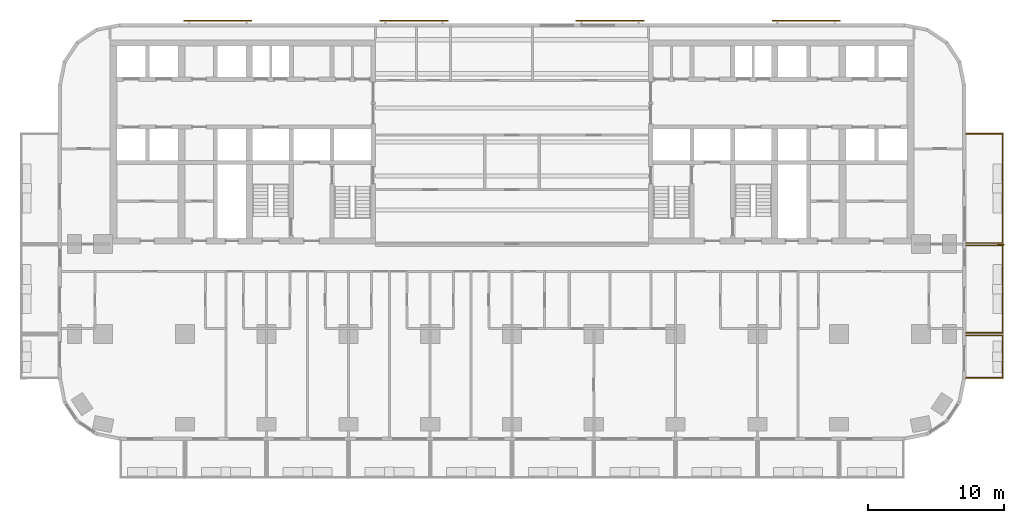
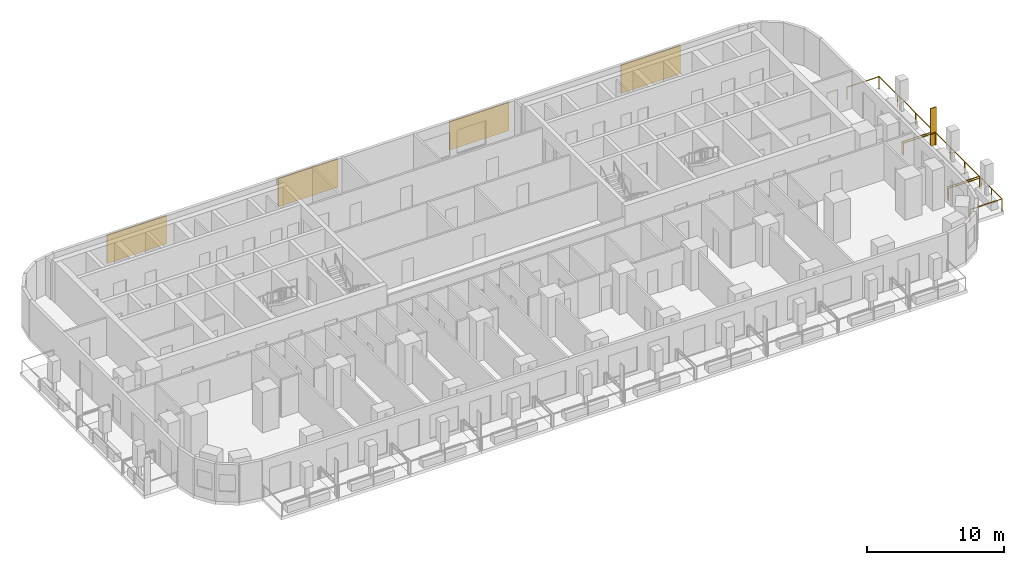
# One storey, part 13 of 14: 5 shading devices, 3 railings.
"""IFC4 building model written with IfcOpenShell, lengths in metres."""

import ifcopenshell
import ifcopenshell.guid

model = None  # the IFC model being written
_history = None  # IfcOwnerHistory: only IFC2X3 demands one
_inside = {}  # id of a spatial element -> (the spatial element, [elements in it])
_under = {}  # id of a project, library or spatial element -> (it, [spatial elements below it])
_declared = {}  # id of a project -> (the project, [libraries it declares])
_typed = {}  # id of a type object -> (the type object, [elements of that type])
_made_of = {}  # id of a material, layer set ... -> (it, [elements and type objects made of it])


def new_model(schema):
    """Start an empty IFC model of exactly this schema.

    Asked for "IFC4X3", IfcOpenShell would pick the latest addendum, in which some entities
    have other attributes; the version numbers below select the first issue.
    IFC2X3 requires an IfcOwnerHistory on every rooted entity: one is made here for all.
    """
    global model, _history
    if schema == "IFC4X3":
        model = ifcopenshell.file(schema_version=(4, 3, 0, 0))
    else:
        model = ifcopenshell.file(schema=schema)
    _inside.clear()
    _under.clear()
    _declared.clear()
    _typed.clear()
    _made_of.clear()
    _history = None
    if model.schema == "IFC2X3":
        org = make("IfcOrganization", Name="unknown")
        user = make(
            "IfcPersonAndOrganization",
            ThePerson=make("IfcPerson", FamilyName="unknown"),
            TheOrganization=org,
        )
        app = make(
            "IfcApplication",
            ApplicationDeveloper=org,
            Version="unknown",
            ApplicationFullName="unknown",
            ApplicationIdentifier="unknown",
        )
        _history = make(
            "IfcOwnerHistory",
            OwningUser=user,
            OwningApplication=app,
            ChangeAction="ADDED",
            CreationDate=0,
        )
    return model


def make(cls, **values):
    """One entity of the class cls with the attributes given. An attribute that is None is left unset."""
    return model.create_entity(
        cls, **{name: value for name, value in values.items() if value is not None}
    )


def rooted(cls, **values):
    """An entity with a GlobalId (a new one), such as an element, a storey or a relation."""
    return make(cls, GlobalId=ifcopenshell.guid.new(), OwnerHistory=_history, **values)


def si_unit(unit_type, name, prefix=None):
    """IfcSIUnit, for example si_unit("LENGTHUNIT", "METRE", prefix="MILLI")."""
    return make("IfcSIUnit", UnitType=unit_type, Prefix=prefix, Name=name)


def assignment(units):
    """IfcUnitAssignment: the units of a project."""
    return None if units is None else make("IfcUnitAssignment", Units=units)


def point(xyz):
    """IfcCartesianPoint."""
    return None if xyz is None else make("IfcCartesianPoint", Coordinates=xyz)


def direction(xyz):
    """IfcDirection."""
    return None if xyz is None else make("IfcDirection", DirectionRatios=xyz)


def frame(location, z_axis=None, x_axis=None):
    """IfcAxis2Placement3D, a coordinate frame: its origin and axes. An axis left out is left unset."""
    return make(
        "IfcAxis2Placement3D",
        Location=point(location),
        Axis=direction(z_axis),
        RefDirection=direction(x_axis),
    )


def frame_2d(location, x_axis=None):
    """IfcAxis2Placement2D, a coordinate frame in the plane: its origin and x axis."""
    return make(
        "IfcAxis2Placement2D", Location=point(location), RefDirection=direction(x_axis)
    )


def origin():
    """The frame at (0, 0, 0) with its axes left unset."""
    return frame((0.0, 0.0, 0.0))


def origin_2d():
    """The frame at (0, 0) in the plane with its x axis left unset."""
    return frame_2d((0.0, 0.0))


def place(relative_to, where):
    """IfcLocalPlacement: puts the frame where relative to a parent placement (None: the world)."""
    return make(
        "IfcLocalPlacement", PlacementRelTo=relative_to, RelativePlacement=where
    )


def context(
    kind, dimensions, precision=None, world=None, true_north=None, identifier=None
):
    """IfcGeometricRepresentationContext, for example the 3D "Model" context."""
    return make(
        "IfcGeometricRepresentationContext",
        ContextIdentifier=identifier,
        ContextType=kind,
        CoordinateSpaceDimension=dimensions,
        Precision=precision,
        WorldCoordinateSystem=world,
        TrueNorth=true_north,
    )


def subcontext(parent, identifier, kind, view, scale=None):
    """IfcGeometricRepresentationSubContext, for example "Body" below "Model"."""
    return make(
        "IfcGeometricRepresentationSubContext",
        ContextIdentifier=identifier,
        ContextType=kind,
        ParentContext=parent,
        TargetScale=scale,
        TargetView=view,
    )


def project(units=None, contexts=None):
    """IfcProject with its units and contexts."""
    return rooted(
        "IfcProject",
        Name="project",
        RepresentationContexts=contexts,
        UnitsInContext=assignment(units),
    )


def spatial(cls, under=None, at=None, **own):
    """A site, building, storey or space (cls), placed at a placement, below another one or the project."""
    s = rooted(cls, ObjectPlacement=at, **own)
    if under is not None:
        _under.setdefault(under.id(), (under, []))[1].append(s)
    return s


def profile(cls, at=None, kind="AREA", **sizes):
    """A parametric profile (cls). Its sizes go by their IFC names, for example OverallWidth=200.0."""
    return make(cls, ProfileType=kind, Position=at, **sizes)


def rectangle(**sizes):
    """IfcRectangleProfileDef."""
    return profile("IfcRectangleProfileDef", **sizes)


def circle(**sizes):
    """IfcCircleProfileDef."""
    return profile("IfcCircleProfileDef", **sizes)


def extrude(swept, where, along, depth):
    """IfcExtrudedAreaSolid: the profile swept, set in the frame where, extruded along a direction by depth."""
    return make(
        "IfcExtrudedAreaSolid",
        SweptArea=swept,
        Position=where,
        ExtrudedDirection=direction(along),
        Depth=depth,
    )


def shape(context_of_items, identifier, shape_type, items):
    """IfcShapeRepresentation: the items that make up one representation, for example the "Body"."""
    return make(
        "IfcShapeRepresentation",
        ContextOfItems=context_of_items,
        RepresentationIdentifier=identifier,
        RepresentationType=shape_type,
        Items=items,
    )


def material(Name=None, Category=None):
    """IfcMaterial."""
    return make("IfcMaterial", Name=Name, Category=Category)


def layer(
    of_material, thickness, ventilated=None, Name=None, Category=None, Priority=None
):
    """IfcMaterialLayer: one layer of a wall or slab, of a material (None: an air gap)."""
    return make(
        "IfcMaterialLayer",
        Material=of_material,
        LayerThickness=thickness,
        IsVentilated=ventilated,
        Name=Name,
        Category=Category,
        Priority=Priority,
    )


def layer_set(layers, Name=None):
    """IfcMaterialLayerSet."""
    return make("IfcMaterialLayerSet", MaterialLayers=layers, LayerSetName=Name)


def made_of(thing, what):
    """Note that an element or type object is made of a material, layer set ...; save() writes the relation."""
    if what is not None:
        _made_of.setdefault(what.id(), (what, []))[1].append(thing)
    return thing


def type_object(cls, material=None, **own):
    """A type object (cls), such as IfcWallType, which elements share."""
    return made_of(rooted(cls, **own), material)


def element(
    cls,
    number,
    at=None,
    inside=None,
    cuts=None,
    type_object=None,
    material=None,
    context=None,
    identifier="Body",
    shape_type=None,
    held_by="IfcProductDefinitionShape",
    body=None,
    shapes=None,
    **own,
):
    """One element of the class cls, such as IfcWall. Its Tag is "e" and its number.

    at: its placement. inside: the storey or other place that contains it. cuts: it is an
    opening in that element (IfcRelVoidsElement). A single representation is given by context,
    identifier, shape_type and body (its items); several are given by shapes. held_by: the class
    of the entity that holds the representations. save() writes the other relations.
    """
    e = rooted(cls, Tag="e%d" % number, ObjectPlacement=at, **own)
    if body is not None:
        shapes = [shape(context, identifier, shape_type, body)]
    if shapes is not None:
        e.Representation = make(held_by, Representations=shapes)
    if inside is not None:
        _inside.setdefault(inside.id(), (inside, []))[1].append(e)
    if cuts is not None:
        rooted(
            "IfcRelVoidsElement", RelatingBuildingElement=cuts, RelatedOpeningElement=e
        )
    if type_object is not None:
        _typed.setdefault(type_object.id(), (type_object, []))[1].append(e)
    return made_of(e, material)


def aggregate(whole, parts):
    """IfcRelAggregates: a whole, such as a stair, and the parts it consists of."""
    return rooted("IfcRelAggregates", RelatingObject=whole, RelatedObjects=parts)


def save(model, path):
    """Write the relations noted so far, then the file.

    IfcRelAggregates (storeys below a building ...), IfcRelContainedInSpatialStructure (elements
    in a storey), IfcRelDefinesByType, IfcRelAssociatesMaterial and IfcRelDeclares: one each for
    every whole, place, type object, material and project.
    """
    for whole, parts in _under.values():
        aggregate(whole, parts)
    for where, things in _inside.values():
        rooted(
            "IfcRelContainedInSpatialStructure",
            RelatedElements=things,
            RelatingStructure=where,
        )
    for kind, things in _typed.values():
        rooted("IfcRelDefinesByType", RelatedObjects=things, RelatingType=kind)
    for what, things in _made_of.values():
        rooted("IfcRelAssociatesMaterial", RelatedObjects=things, RelatingMaterial=what)
    for by, libraries in _declared.values():
        rooted("IfcRelDeclares", RelatingContext=by, RelatedDefinitions=libraries)
    model.write(path)


model = new_model("IFC4")

# Units and contexts
model_context = context("Model", 3, precision=1e-05, world=origin(), true_north=direction((0.0, 1.0)))
body_context = subcontext(model_context, "Body", "Model", "MODEL_VIEW")
ifc_project = project(units=[si_unit("LENGTHUNIT", "METRE"), si_unit("AREAUNIT", "SQUARE_METRE"), si_unit("VOLUMEUNIT", "CUBIC_METRE"), si_unit("PLANEANGLEUNIT", "RADIAN"), si_unit("MASSUNIT", "GRAM", prefix="KILO")], contexts=[model_context])

# Site, building, storey
site_placement = place(None, origin())
site = spatial("IfcSite", under=ifc_project, at=site_placement, CompositionType="ELEMENT")
building_placement = place(site_placement, origin())
building = spatial("IfcBuilding", under=site, at=building_placement, Name="Torana Hotel and Residences", CompositionType="ELEMENT")
storey_placement = place(building_placement, frame((0.0, 0.0, 63.60009765625)))
storey = spatial("IfcBuildingStorey", under=building, at=storey_placement, Name="L15", CompositionType="ELEMENT", Elevation=63.60009765625)

# Shading device
ifc_material_1 = material(Name="Black powder coated aluminium", Category="aluminium")
ifc_layer_1 = layer(ifc_material_1, 0.080078125)
ifc_layer_set_1 = layer_set([ifc_layer_1], Name="FN1 VERTICAL FIN 500x80")
shading_device_type_1 = type_object("IfcShadingDeviceType", Name="FN1 VERTICAL FIN 500x80", PredefinedType="USERDEFINED", material=ifc_layer_set_1)
shading_device_placement = place(storey_placement, frame((35.85009765625, -15.0400390625, 0.0), z_axis=(0.0, 0.0, 1.0), x_axis=(0.0, -1.0, 0.0)))
element("IfcShadingDevice", 1, at=shading_device_placement, inside=storey, type_object=shading_device_type_1, Name="Fin 15", ObjectType="FIN", PredefinedType="USERDEFINED", context=body_context, shape_type="SweptSolid", body=[
    extrude(rectangle(XDim=0.080078125, YDim=0.5, at=origin_2d()), origin(), (0.0, 0.0, 1.0), 3.320068359375),
])

# Railings
ifc_material_2 = material(Name="Laminated glass balustrade with black handrail", Category="glass")
railing_type = type_object("IfcRailingType", Name="GR1 BALCONY GUARD 1100 GLASS", PredefinedType="GUARDRAIL", material=ifc_material_2)
railing_1_placement = place(storey_placement, frame((33.300048828125, -21.699951171875, 0.0)))
element("IfcRailing", 2, at=railing_1_placement, inside=storey, type_object=railing_type, Name="Balcony guard 14", PredefinedType="GUARDRAIL", context=body_context, shape_type="SweptSolid", body=[
    extrude(circle(Radius=0.02392578125, at=origin_2d()), frame((0.0, 0.0, 1.076171875), z_axis=(1.0, 0.0, 0.0), x_axis=(0.0, 1.0, 0.0)), (0.0, 0.0, 1.0), 2.699951171875),
    extrude(circle(Radius=0.02392578125, at=origin_2d()), frame((2.699951171875, 0.0, 1.076171875), z_axis=(0.0, -1.0, 0.0), x_axis=(1.0, 0.0, 0.0)), (0.0, 0.0, 1.0), 3.10009765625),
    extrude(circle(Radius=0.02392578125, at=origin_2d()), frame((2.699951171875, -3.10009765625, 1.076171875), z_axis=(-1.0, 0.0, 0.0), x_axis=(0.0, -1.0, 0.0)), (0.0, 0.0, 1.0), 2.699951171875),
    extrude(circle(Radius=0.02099609375, at=origin_2d()), origin(), (0.0, 0.0, 1.0), 1.052001953125),
    extrude(circle(Radius=0.02099609375, at=origin_2d()), frame((2.699951171875, 0.0, 0.0)), (0.0, 0.0, 1.0), 1.052001953125),
    extrude(circle(Radius=0.02099609375, at=origin_2d()), frame((2.699951171875, -1.550048828125, 0.0)), (0.0, 0.0, 1.0), 1.052001953125),
    extrude(circle(Radius=0.02099609375, at=origin_2d()), frame((2.699951171875, -3.10009765625, 0.0)), (0.0, 0.0, 1.0), 1.052001953125),
    extrude(circle(Radius=0.02099609375, at=origin_2d()), frame((0.0, -3.10009765625, 0.0)), (0.0, 0.0, 1.0), 1.052001953125),
])
railing_2_placement = place(storey_placement, frame((33.300048828125, -15.10009765625, 0.0)))
element("IfcRailing", 3, at=railing_2_placement, inside=storey, type_object=railing_type, Name="Balcony guard 15", PredefinedType="GUARDRAIL", context=body_context, shape_type="SweptSolid", body=[
    extrude(circle(Radius=0.02392578125, at=origin_2d()), frame((0.0, 0.0, 1.076171875), z_axis=(1.0, 0.0, 0.0), x_axis=(0.0, 1.0, 0.0)), (0.0, 0.0, 1.0), 2.699951171875),
    extrude(circle(Radius=0.02392578125, at=origin_2d()), frame((2.699951171875, 0.0, 1.076171875), z_axis=(0.0, -1.0, 0.0), x_axis=(1.0, 0.0, 0.0)), (0.0, 0.0, 1.0), 6.39990234375),
    extrude(circle(Radius=0.02392578125, at=origin_2d()), frame((2.699951171875, -6.39990234375, 1.076171875), z_axis=(-1.0, 0.0, 0.0), x_axis=(0.0, -1.0, 0.0)), (0.0, 0.0, 1.0), 2.699951171875),
    extrude(circle(Radius=0.02099609375, at=origin_2d()), origin(), (0.0, 0.0, 1.0), 1.052001953125),
    extrude(circle(Radius=0.02099609375, at=origin_2d()), frame((2.699951171875, 0.0, 0.0)), (0.0, 0.0, 1.0), 1.052001953125),
    extrude(circle(Radius=0.02099609375, at=origin_2d()), frame((2.699951171875, -2.13330078125, 0.0)), (0.0, 0.0, 1.0), 1.052001953125),
    extrude(circle(Radius=0.02099609375, at=origin_2d()), frame((2.699951171875, -4.2666015625, 0.0)), (0.0, 0.0, 1.0), 1.052001953125),
    extrude(circle(Radius=0.02099609375, at=origin_2d()), frame((2.699951171875, -6.39990234375, 0.0)), (0.0, 0.0, 1.0), 1.052001953125),
    extrude(circle(Radius=0.02099609375, at=origin_2d()), frame((0.0, -6.39990234375, 0.0)), (0.0, 0.0, 1.0), 1.052001953125),
])
railing_3_placement = place(storey_placement, frame((33.300048828125, -6.89990234375, 0.0)))
element("IfcRailing", 4, at=railing_3_placement, inside=storey, type_object=railing_type, Name="Balcony guard 16", PredefinedType="GUARDRAIL", context=body_context, shape_type="SweptSolid", body=[
    extrude(circle(Radius=0.02392578125, at=origin_2d()), frame((0.0, 0.0, 1.076171875), z_axis=(1.0, 0.0, 0.0), x_axis=(0.0, 1.0, 0.0)), (0.0, 0.0, 1.0), 2.699951171875),
    extrude(circle(Radius=0.02392578125, at=origin_2d()), frame((2.699951171875, 0.0, 1.076171875), z_axis=(0.0, -1.0, 0.0), x_axis=(1.0, 0.0, 0.0)), (0.0, 0.0, 1.0), 8.0),
    extrude(circle(Radius=0.02392578125, at=origin_2d()), frame((2.699951171875, -8.0, 1.076171875), z_axis=(-1.0, 0.0, 0.0), x_axis=(0.0, -1.0, 0.0)), (0.0, 0.0, 1.0), 2.699951171875),
    extrude(circle(Radius=0.02099609375, at=origin_2d()), origin(), (0.0, 0.0, 1.0), 1.052001953125),
    extrude(circle(Radius=0.02099609375, at=origin_2d()), frame((2.699951171875, 0.0, 0.0)), (0.0, 0.0, 1.0), 1.052001953125),
    extrude(circle(Radius=0.02099609375, at=origin_2d()), frame((2.699951171875, -2.666748046875, 0.0)), (0.0, 0.0, 1.0), 1.052001953125),
    extrude(circle(Radius=0.02099609375, at=origin_2d()), frame((2.699951171875, -5.333251953125, 0.0)), (0.0, 0.0, 1.0), 1.052001953125),
    extrude(circle(Radius=0.02099609375, at=origin_2d()), frame((2.699951171875, -8.0, 0.0)), (0.0, 0.0, 1.0), 1.052001953125),
    extrude(circle(Radius=0.02099609375, at=origin_2d()), frame((0.0, -8.0, 0.0)), (0.0, 0.0, 1.0), 1.052001953125),
])

# Shading devices
ifc_material_3 = material(Name="Concrete C40/50 precast", Category="concrete")
ifc_layer_2 = layer(ifc_material_3, 0.10009765625)
ifc_layer_set_2 = layer_set([ifc_layer_2], Name="SC1 PERFORATED BLOCK SCREEN PANEL 100")
shading_device_type_2 = type_object("IfcShadingDeviceType", Name="SC1 PERFORATED BLOCK SCREEN PANEL 100", PredefinedType="USERDEFINED", material=ifc_layer_set_2)
for number, where, z_axis, x_axis, name in (
    (5, (21.58154296875, 1.39990234375, 0.5), (0.0, 0.0, 1.0), (-1.0, 0.0, 0.0), "Perforated block screen L15"),
    (6, (7.19384765625, 1.39990234375, 0.5), (0.0, 0.0, 1.0), (-1.0, 0.0, 0.0), "Perforated block screen L15"),
    (7, (-7.19384765625, 1.39990234375, 0.5), (0.0, 0.0, 1.0), (-1.0, 0.0, 0.0), "Perforated block screen L15"),
    (8, (-21.58154296875, 1.39990234375, 0.5), (0.0, 0.0, 1.0), (-1.0, 0.0, 0.0), "Perforated block screen L15"),
):
    element("IfcShadingDevice", number, at=place(storey_placement, frame(where, z_axis=z_axis, x_axis=x_axis)), inside=storey, type_object=shading_device_type_2, Name=name, ObjectType="SCREEN", PredefinedType="USERDEFINED", context=body_context, shape_type="SweptSolid", body=[
        extrude(rectangle(XDim=5.0, YDim=0.10009765625, at=origin_2d()), origin(), (0.0, 0.0, 1.0), 2.52001953125),
    ])

save(model, "model.ifc")
